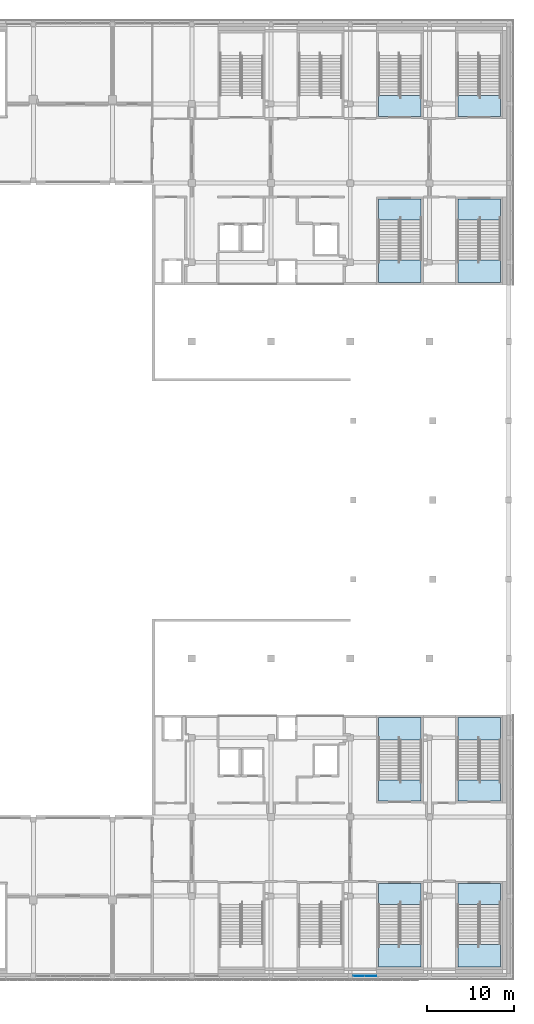
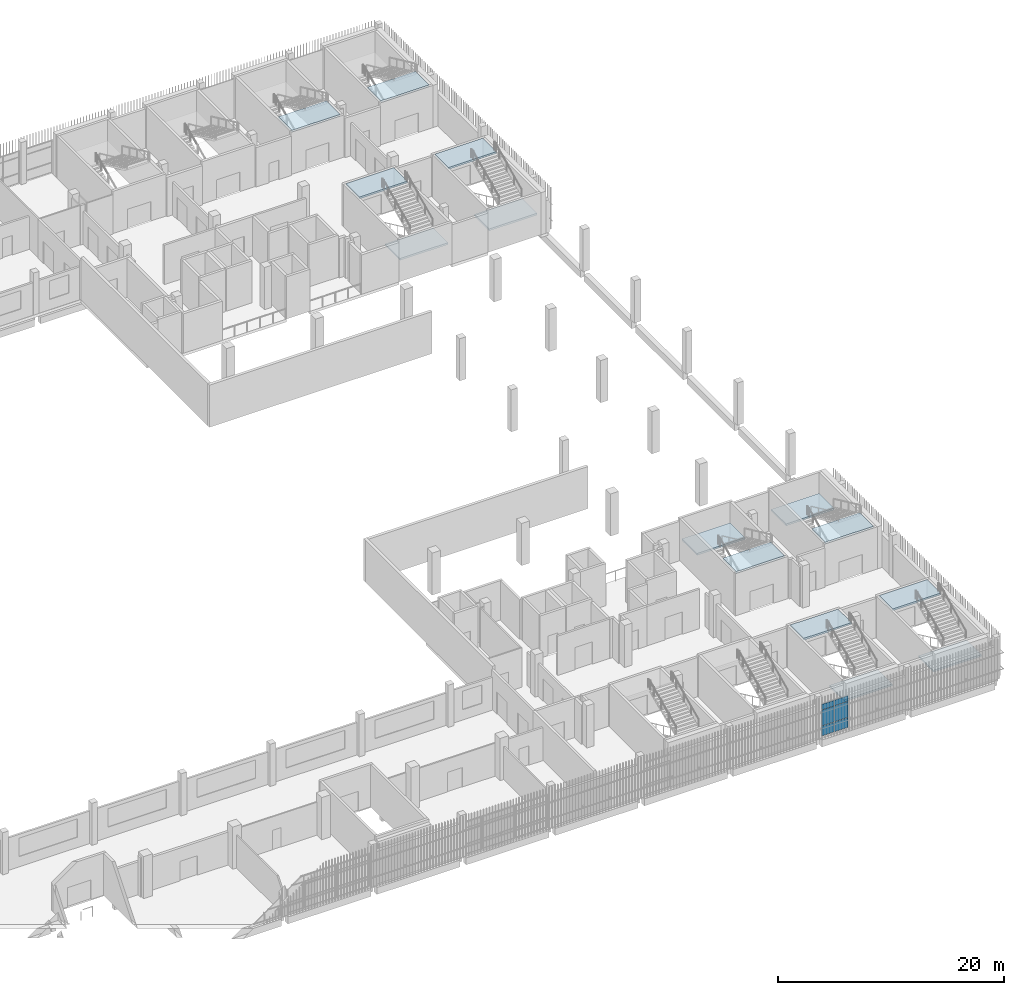
# One storey, part 51 of 104: 14 slabs, 6 plates, 9 elements without a shape of their own.
"""IFC4 building model written with IfcOpenShell, lengths in metres."""

from ifc_helpers import new_model, si_unit, direction, frame, origin, origin_2d, place, context, subcontext, project, spatial, polyline, rectangle, outline, extrude, material, layer, layer_set, type_object, element, aggregate, save


model = new_model("IFC4")

# Units and contexts
model_context = context("Model", 3, precision=1e-05, world=origin(), true_north=direction((0.0, 1.0)))
body_context = subcontext(model_context, "Body", "Model", "MODEL_VIEW")
ifc_project = project(units=[si_unit("LENGTHUNIT", "METRE"), si_unit("AREAUNIT", "SQUARE_METRE"), si_unit("VOLUMEUNIT", "CUBIC_METRE"), si_unit("PLANEANGLEUNIT", "RADIAN"), si_unit("MASSUNIT", "GRAM", prefix="KILO")], contexts=[model_context])

# Site, building, storey
site_placement = place(None, origin())
site = spatial("IfcSite", under=ifc_project, at=site_placement, CompositionType="ELEMENT")
building_placement = place(site_placement, origin())
building = spatial("IfcBuilding", under=site, at=building_placement, Name="Shirokan Park Arena", CompositionType="ELEMENT")
storey_placement = place(building_placement, frame((0.0, 0.0, 10.919921875)))
storey = spatial("IfcBuildingStorey", under=building, at=storey_placement, Name="L02", CompositionType="ELEMENT", Elevation=10.919921875)

# Curtain wall, plates
ifc_material_1 = material(Name="Steel and glass curtain wall", Category="steel")
ifc_layer_1 = layer(ifc_material_1, 0.1201171875)
ifc_layer_set_1 = layer_set([ifc_layer_1], Name="Steel and glass curtain wall 120 mm")
curtain_wall_type = type_object("IfcCurtainWallType", Name="Curtain wall corner block side bay 120", PredefinedType="NOTDEFINED", material=ifc_layer_set_1)
curtain_wall_placement = place(storey_placement, origin())
curtain_wall = element("IfcCurtainWall", 1, at=curtain_wall_placement, inside=storey, type_object=curtain_wall_type, Name="Curtain wall south bay 15 L02", PredefinedType="NOTDEFINED")
ifc_material_2 = material(Name="Aluminium sheet", Category="aluminium")
ifc_layer_2 = layer(ifc_material_2, 0.0029296875, Name="Aluminium sheet")
ifc_material_3 = material(Name="Mineral wool insulation")
ifc_layer_3 = layer(ifc_material_3, 0.053955078125, Name="Mineral wool insulation")
ifc_layer_4 = layer(ifc_material_2, 0.0029296875, Name="Aluminium sheet")
ifc_layer_set_2 = layer_set([ifc_layer_2, ifc_layer_3, ifc_layer_4], Name="Aluminium sheet + Mineral wool insulation")
plate_type_1 = type_object("IfcPlateType", Name="Insulated spandrel panel 60", PredefinedType="CURTAIN_PANEL", material=ifc_layer_set_2)
plate_1_placement = place(storey_placement, frame((128.375, -0.090087890625, 2.8701171875), z_axis=(0.0, 0.0, 1.0), x_axis=(1.0, 0.0, 0.0)))
plate_1 = element("IfcPlate", 2, at=plate_1_placement, type_object=plate_type_1, Name="CW3 panel 1.3", PredefinedType="CURTAIN_PANEL", context=body_context, shape_type="SweptSolid", body=[
    extrude(rectangle(XDim=1.25, YDim=0.06005859375, at=origin_2d()), origin(), (0.0, 0.0, 1.0), 0.590087890625),
])
plate_2_placement = place(storey_placement, frame((129.72509765625, -0.090087890625, 2.8701171875), z_axis=(0.0, 0.0, 1.0), x_axis=(1.0, 0.0, 0.0)))
plate_2 = element("IfcPlate", 3, at=plate_2_placement, type_object=plate_type_1, Name="CW3 panel 2.3", PredefinedType="CURTAIN_PANEL", context=body_context, shape_type="SweptSolid", body=[
    extrude(rectangle(XDim=1.35009765625, YDim=0.06005859375, at=origin_2d()), origin(), (0.0, 0.0, 1.0), 0.590087890625),
])
ifc_material_4 = material(Name="Toughened glass", Category="glass")
ifc_layer_5 = layer(ifc_material_4, 0.012939453125, Name="Toughened glass")
ifc_material_5 = material(Name="Interlayer film")
ifc_layer_6 = layer(ifc_material_5, 0.001953125, Name="Interlayer film")
ifc_layer_7 = layer(ifc_material_4, 0.012939453125, Name="Toughened glass")
ifc_layer_set_3 = layer_set([ifc_layer_5, ifc_layer_6, ifc_layer_7], Name="Toughened glass + Interlayer film")
plate_type_2 = type_object("IfcPlateType", Name="Laminated glass panel 28", PredefinedType="CURTAIN_PANEL", material=ifc_layer_set_3)
plate_3_placement = place(storey_placement, frame((128.375, -0.090087890625, 1.1201171875), z_axis=(0.0, 0.0, 1.0), x_axis=(1.0, 0.0, 0.0)))
plate_3 = element("IfcPlate", 4, at=plate_3_placement, type_object=plate_type_2, Name="CW3 panel 1.2", PredefinedType="CURTAIN_PANEL", context=body_context, shape_type="SweptSolid", body=[
    extrude(rectangle(XDim=1.25, YDim=0.028076171875, at=origin_2d()), origin(), (0.0, 0.0, 1.0), 1.7099609375),
])
plate_4_placement = place(storey_placement, frame((129.72509765625, -0.090087890625, 1.1201171875), z_axis=(0.0, 0.0, 1.0), x_axis=(1.0, 0.0, 0.0)))
plate_4 = element("IfcPlate", 5, at=plate_4_placement, type_object=plate_type_2, Name="CW3 panel 2.2", PredefinedType="CURTAIN_PANEL", context=body_context, shape_type="SweptSolid", body=[
    extrude(rectangle(XDim=1.35009765625, YDim=0.028076171875, at=origin_2d()), origin(), (0.0, 0.0, 1.0), 1.7099609375),
])
ifc_layer_8 = layer(ifc_material_4, 0.01708984375, Name="Toughened glass")
ifc_layer_9 = layer(ifc_material_5, 0.001953125, Name="Interlayer film")
ifc_layer_10 = layer(ifc_material_4, 0.01708984375, Name="Toughened glass")
ifc_layer_set_4 = layer_set([ifc_layer_8, ifc_layer_9, ifc_layer_10], Name="Toughened glass + Interlayer film")
plate_type_3 = type_object("IfcPlateType", Name="Laminated safety glass panel 36", PredefinedType="CURTAIN_PANEL", material=ifc_layer_set_4)
plate_5_placement = place(storey_placement, frame((128.375, -0.090087890625, 0.0400390625), z_axis=(0.0, 0.0, 1.0), x_axis=(1.0, 0.0, 0.0)))
plate_5 = element("IfcPlate", 6, at=plate_5_placement, type_object=plate_type_3, Name="CW3 panel 1.1", PredefinedType="CURTAIN_PANEL", context=body_context, shape_type="SweptSolid", body=[
    extrude(rectangle(XDim=1.25, YDim=0.035888671875, at=origin_2d()), origin(), (0.0, 0.0, 1.0), 1.0400390625),
])
plate_6_placement = place(storey_placement, frame((129.72509765625, -0.090087890625, 0.0400390625), z_axis=(0.0, 0.0, 1.0), x_axis=(1.0, 0.0, 0.0)))
plate_6 = element("IfcPlate", 7, at=plate_6_placement, type_object=plate_type_3, Name="CW3 panel 2.1", PredefinedType="CURTAIN_PANEL", context=body_context, shape_type="SweptSolid", body=[
    extrude(rectangle(XDim=1.35009765625, YDim=0.035888671875, at=origin_2d()), origin(), (0.0, 0.0, 1.0), 1.0400390625),
])
aggregate(curtain_wall, [plate_5, plate_3, plate_1, plate_6, plate_4, plate_2])

# Stair, slabs
ifc_material_6 = material(Name="Concrete C30 precast", Category="concrete")
stair_type = type_object("IfcStairType", Name="Stair 30 risers 152 x 327 2400 wide", PredefinedType="TWO_STRAIGHT_RUN_STAIR", material=ifc_material_6)
stair_1_placement = place(storey_placement, origin())
stair_1 = element("IfcStair", 8, at=stair_1_placement, inside=storey, type_object=stair_type, Name="Exit Stair 2.A L02 to L03", PredefinedType="TWO_STRAIGHT_RUN_STAIR")
ifc_layer_11 = layer(ifc_material_6, 0.199951171875)
ifc_layer_set_5 = layer_set([ifc_layer_11], Name="Concrete C30 precast 200 mm")
slab_type = type_object("IfcSlabType", Name="Stair landing 200", PredefinedType="LANDING", material=ifc_layer_set_5)
slab_1_placement = place(storey_placement, frame((0.0, 0.0, 2.0751953125)))
slab_1 = element("IfcSlab", 9, at=slab_1_placement, type_object=slab_type, Name="ST04.3 landing 1", PredefinedType="LANDING", context=body_context, shape_type="SweptSolid", body=[
    extrude(outline(polyline([(139.75, 0.949951171875), (144.64990234375, 0.949951171875), (144.64990234375, 3.576171875), (139.75, 3.576171875), (139.75, 0.949951171875)])), origin(), (0.0, 0.0, 1.0), 0.199951171875),
])
slab_2_placement = place(storey_placement, frame((0.0, 0.0, 4.35009765625)))
slab_2 = element("IfcSlab", 10, at=slab_2_placement, type_object=slab_type, Name="ST04.3 landing 2", PredefinedType="LANDING", context=body_context, shape_type="SweptSolid", body=[
    extrude(outline(polyline([(139.75, 8.14990234375), (144.64990234375, 8.14990234375), (144.64990234375, 10.550048828125), (139.75, 10.550048828125), (139.75, 8.14990234375)])), origin(), (0.0, 0.0, 1.0), 0.199951171875),
])
aggregate(stair_1, [slab_1, slab_2])

stair_2_placement = place(storey_placement, origin())
stair_2 = element("IfcStair", 11, at=stair_2_placement, inside=storey, type_object=stair_type, Name="Exit Stair 2.B L02 to L03", PredefinedType="TWO_STRAIGHT_RUN_STAIR")
slab_3_placement = place(storey_placement, frame((0.0, 0.0, 2.0751953125)))
slab_3 = element("IfcSlab", 12, at=slab_3_placement, type_object=slab_type, Name="ST05.3 landing 1", PredefinedType="LANDING", context=body_context, shape_type="SweptSolid", body=[
    extrude(outline(polyline([(130.64990234375, 0.949951171875), (135.550048828125, 0.949951171875), (135.550048828125, 3.576171875), (130.64990234375, 3.576171875), (130.64990234375, 0.949951171875)])), origin(), (0.0, 0.0, 1.0), 0.199951171875),
])
slab_4_placement = place(storey_placement, frame((0.0, 0.0, 4.35009765625)))
slab_4 = element("IfcSlab", 13, at=slab_4_placement, type_object=slab_type, Name="ST05.3 landing 2", PredefinedType="LANDING", context=body_context, shape_type="SweptSolid", body=[
    extrude(outline(polyline([(130.64990234375, 8.14990234375), (135.550048828125, 8.14990234375), (135.550048828125, 10.550048828125), (130.64990234375, 10.550048828125), (130.64990234375, 8.14990234375)])), origin(), (0.0, 0.0, 1.0), 0.199951171875),
])
aggregate(stair_2, [slab_3, slab_4])

stair_3_placement = place(storey_placement, origin())
stair_3 = element("IfcStair", 14, at=stair_3_placement, inside=storey, type_object=stair_type, Name="Exit Stair 2.E L02 to L03", PredefinedType="TWO_STRAIGHT_RUN_STAIR")
slab_5_placement = place(storey_placement, frame((0.0, 0.0, 2.0751953125)))
slab_5 = element("IfcSlab", 15, at=slab_5_placement, type_object=slab_type, Name="ST08.3 landing 1", PredefinedType="LANDING", context=body_context, shape_type="SweptSolid", body=[
    extrude(outline(polyline([(139.75, 27.023681640625), (144.64990234375, 27.023681640625), (144.64990234375, 29.64990234375), (139.75, 29.64990234375), (139.75, 27.023681640625)])), origin(), (0.0, 0.0, 1.0), 0.199951171875),
])
slab_6_placement = place(storey_placement, frame((0.0, 0.0, 4.35009765625)))
slab_6 = element("IfcSlab", 16, at=slab_6_placement, type_object=slab_type, Name="ST08.3 landing 2", PredefinedType="LANDING", context=body_context, shape_type="SweptSolid", body=[
    extrude(outline(polyline([(139.75, 20.050048828125), (144.64990234375, 20.050048828125), (144.64990234375, 22.449951171875), (139.75, 22.449951171875), (139.75, 20.050048828125)])), origin(), (0.0, 0.0, 1.0), 0.199951171875),
])
aggregate(stair_3, [slab_5, slab_6])

stair_4_placement = place(storey_placement, origin())
stair_4 = element("IfcStair", 17, at=stair_4_placement, inside=storey, type_object=stair_type, Name="Exit Stair 2.F L02 to L03", PredefinedType="TWO_STRAIGHT_RUN_STAIR")
slab_7_placement = place(storey_placement, frame((0.0, 0.0, 2.0751953125)))
slab_7 = element("IfcSlab", 18, at=slab_7_placement, type_object=slab_type, Name="ST09.3 landing 1", PredefinedType="LANDING", context=body_context, shape_type="SweptSolid", body=[
    extrude(outline(polyline([(130.64990234375, 27.023681640625), (135.550048828125, 27.023681640625), (135.550048828125, 29.64990234375), (130.64990234375, 29.64990234375), (130.64990234375, 27.023681640625)])), origin(), (0.0, 0.0, 1.0), 0.199951171875),
])
slab_8_placement = place(storey_placement, frame((0.0, 0.0, 4.35009765625)))
slab_8 = element("IfcSlab", 19, at=slab_8_placement, type_object=slab_type, Name="ST09.3 landing 2", PredefinedType="LANDING", context=body_context, shape_type="SweptSolid", body=[
    extrude(outline(polyline([(130.64990234375, 20.050048828125), (135.550048828125, 20.050048828125), (135.550048828125, 22.449951171875), (130.64990234375, 22.449951171875), (130.64990234375, 20.050048828125)])), origin(), (0.0, 0.0, 1.0), 0.199951171875),
])
aggregate(stair_4, [slab_7, slab_8])

# Stair, slab
stair_5_placement = place(storey_placement, origin())
stair_5 = element("IfcStair", 20, at=stair_5_placement, inside=storey, type_object=stair_type, Name="Exit Stair 3.A L02 to L03", PredefinedType="TWO_STRAIGHT_RUN_STAIR")
slab_9_placement = place(storey_placement, frame((0.0, 0.0, 4.35009765625)))
slab_9 = element("IfcSlab", 21, at=slab_9_placement, type_object=slab_type, Name="ST16.3 landing 2", PredefinedType="LANDING", context=body_context, shape_type="SweptSolid", body=[
    extrude(outline(polyline([(139.75, 98.64990234375), (144.64990234375, 98.64990234375), (144.64990234375, 101.050048828125), (139.75, 101.050048828125), (139.75, 98.64990234375)])), origin(), (0.0, 0.0, 1.0), 0.199951171875),
])
aggregate(stair_5, [slab_9])

stair_6_placement = place(storey_placement, origin())
stair_6 = element("IfcStair", 22, at=stair_6_placement, inside=storey, type_object=stair_type, Name="Exit Stair 3.B L02 to L03", PredefinedType="TWO_STRAIGHT_RUN_STAIR")
slab_10_placement = place(storey_placement, frame((0.0, 0.0, 4.35009765625)))
slab_10 = element("IfcSlab", 23, at=slab_10_placement, type_object=slab_type, Name="ST17.3 landing 2", PredefinedType="LANDING", context=body_context, shape_type="SweptSolid", body=[
    extrude(outline(polyline([(130.64990234375, 98.64990234375), (135.550048828125, 98.64990234375), (135.550048828125, 101.050048828125), (130.64990234375, 101.050048828125), (130.64990234375, 98.64990234375)])), origin(), (0.0, 0.0, 1.0), 0.199951171875),
])
aggregate(stair_6, [slab_10])

# Stair, slabs
stair_7_placement = place(storey_placement, origin())
stair_7 = element("IfcStair", 24, at=stair_7_placement, inside=storey, type_object=stair_type, Name="Exit Stair 3.E L02 to L03", PredefinedType="TWO_STRAIGHT_RUN_STAIR")
slab_11_placement = place(storey_placement, frame((0.0, 0.0, 2.0751953125)))
slab_11 = element("IfcSlab", 25, at=slab_11_placement, type_object=slab_type, Name="ST20.3 landing 1", PredefinedType="LANDING", context=body_context, shape_type="SweptSolid", body=[
    extrude(outline(polyline([(139.75, 79.550048828125), (144.64990234375, 79.550048828125), (144.64990234375, 82.17626953125), (139.75, 82.17626953125), (139.75, 79.550048828125)])), origin(), (0.0, 0.0, 1.0), 0.199951171875),
])
slab_12_placement = place(storey_placement, frame((0.0, 0.0, 4.35009765625)))
slab_12 = element("IfcSlab", 26, at=slab_12_placement, type_object=slab_type, Name="ST20.3 landing 2", PredefinedType="LANDING", context=body_context, shape_type="SweptSolid", body=[
    extrude(outline(polyline([(139.75, 86.75), (144.64990234375, 86.75), (144.64990234375, 89.14990234375), (139.75, 89.14990234375), (139.75, 86.75)])), origin(), (0.0, 0.0, 1.0), 0.199951171875),
])
aggregate(stair_7, [slab_11, slab_12])

stair_8_placement = place(storey_placement, origin())
stair_8 = element("IfcStair", 27, at=stair_8_placement, inside=storey, type_object=stair_type, Name="Exit Stair 3.F L02 to L03", PredefinedType="TWO_STRAIGHT_RUN_STAIR")
slab_13_placement = place(storey_placement, frame((0.0, 0.0, 2.0751953125)))
slab_13 = element("IfcSlab", 28, at=slab_13_placement, type_object=slab_type, Name="ST21.3 landing 1", PredefinedType="LANDING", context=body_context, shape_type="SweptSolid", body=[
    extrude(outline(polyline([(130.64990234375, 79.550048828125), (135.550048828125, 79.550048828125), (135.550048828125, 82.17626953125), (130.64990234375, 82.17626953125), (130.64990234375, 79.550048828125)])), origin(), (0.0, 0.0, 1.0), 0.199951171875),
])
slab_14_placement = place(storey_placement, frame((0.0, 0.0, 4.35009765625)))
slab_14 = element("IfcSlab", 29, at=slab_14_placement, type_object=slab_type, Name="ST21.3 landing 2", PredefinedType="LANDING", context=body_context, shape_type="SweptSolid", body=[
    extrude(outline(polyline([(130.64990234375, 86.75), (135.550048828125, 86.75), (135.550048828125, 89.14990234375), (130.64990234375, 89.14990234375), (130.64990234375, 86.75)])), origin(), (0.0, 0.0, 1.0), 0.199951171875),
])
aggregate(stair_8, [slab_13, slab_14])

save(model, "model.ifc")
